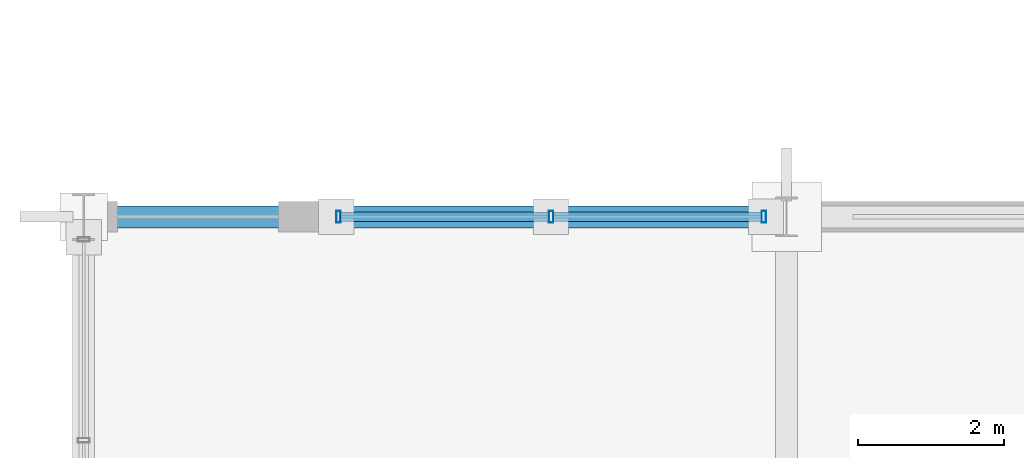
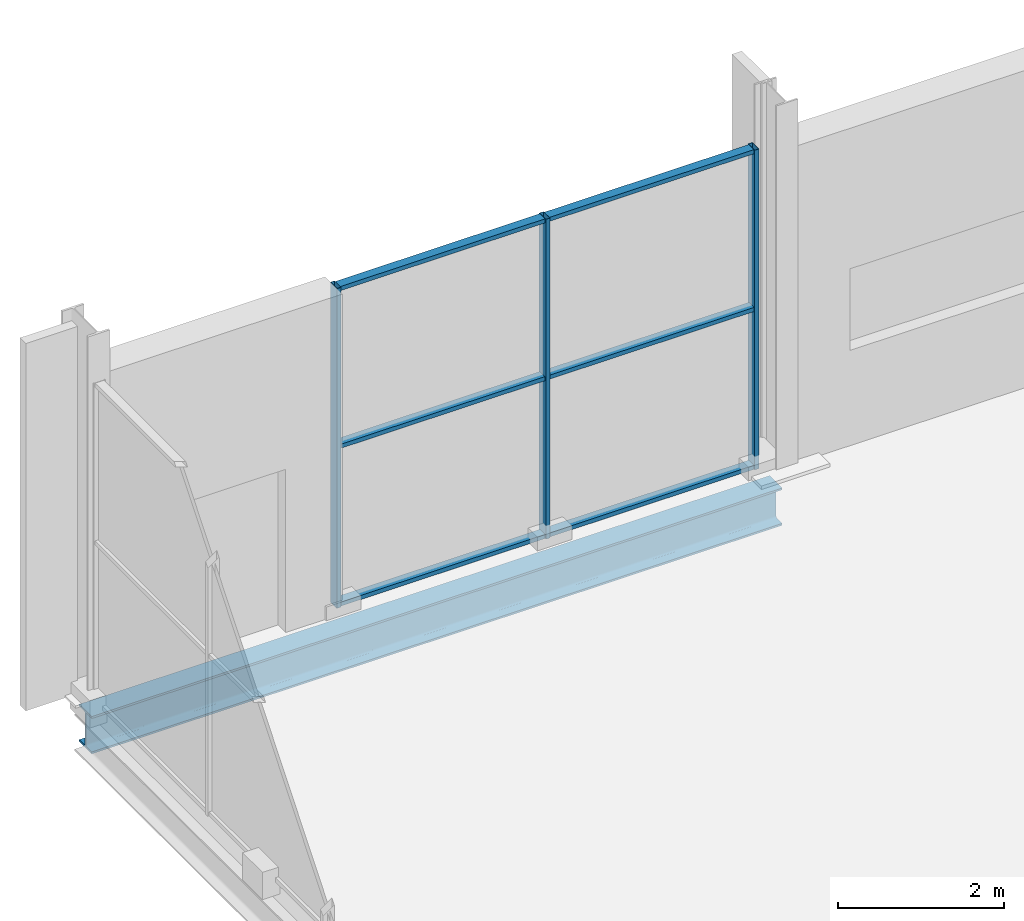
# One storey, part 106 of 196: 9 members, 1 beam, 1 element without a shape of its own.
"""IFC4 building model written with IfcOpenShell, lengths in metres."""

from ifc_helpers import new_model, si_unit, direction, frame, origin, origin_2d, place, context, subcontext, project, spatial, hollow_rectangle, i_section, extrude, material, material_profile, profile_set, type_object, element, aggregate, save


model = new_model("IFC4")

# Units and contexts
model_context = context("Model", 3, precision=1e-05, world=origin(), true_north=direction((0.0, 1.0)))
body_context = subcontext(model_context, "Body", "Model", "MODEL_VIEW")
ifc_project = project(units=[si_unit("LENGTHUNIT", "METRE"), si_unit("AREAUNIT", "SQUARE_METRE"), si_unit("VOLUMEUNIT", "CUBIC_METRE"), si_unit("PLANEANGLEUNIT", "RADIAN"), si_unit("MASSUNIT", "GRAM", prefix="KILO")], contexts=[model_context])

# Site, building, storey
site_placement = place(None, origin())
site = spatial("IfcSite", under=ifc_project, at=site_placement, CompositionType="ELEMENT")
building_placement = place(site_placement, origin())
building = spatial("IfcBuilding", under=site, at=building_placement, Name="Merenkruunu Market Hall", CompositionType="ELEMENT")
storey_placement = place(building_placement, origin())
storey = spatial("IfcBuildingStorey", under=building, at=storey_placement, Name="L00", CompositionType="ELEMENT", Elevation=0.0)

# Curtain wall, members
ifc_material_1 = material(Name="Powder-coated aluminium", Category="aluminium")
curtain_wall_type = type_object("IfcCurtainWallType", Name="Glazed Curtain Wall CW06", PredefinedType="USERDEFINED", material=ifc_material_1)
curtain_wall_placement = place(storey_placement, origin())
curtain_wall = element("IfcCurtainWall", 1, at=curtain_wall_placement, inside=storey, type_object=curtain_wall_type, Name="CW-L00-CWM01-051", ObjectType="GLAZED_FACADE", PredefinedType="USERDEFINED")
ifc_material_profile_1 = material_profile(ifc_material_1, hollow_rectangle(XDim=0.06005859375, YDim=0.159912109375, WallThickness=0.00390625, at=origin_2d()), Name="ALU 60x160x4")
ifc_profile_set_1 = profile_set([ifc_material_profile_1], Name="Powder-coated aluminium")
member_type_1 = type_object("IfcMemberType", Name="Curtain Wall Mullion CWM01", PredefinedType="MULLION", material=ifc_profile_set_1)
member_1_placement = place(storey_placement, frame((3.47998046875, 111.60009765625, 0.0), z_axis=(0.0, 0.0, 1.0), x_axis=(1.0, 0.0, 0.0)))
member_1 = element("IfcMember", 2, at=member_1_placement, type_object=member_type_1, Name="CW06 mullion 1", PredefinedType="MULLION", context=body_context, shape_type="SweptSolid", body=[
    extrude(hollow_rectangle(XDim=0.06005859375, YDim=0.159912109375, WallThickness=0.00390625, at=origin_2d()), origin(), (0.0, 0.0, 1.0), 4.699951171875),
])
member_2_placement = place(storey_placement, frame((6.385009765625, 111.60009765625, 0.0), z_axis=(0.0, 0.0, 1.0), x_axis=(1.0, 0.0, 0.0)))
member_2 = element("IfcMember", 3, at=member_2_placement, type_object=member_type_1, Name="CW06 mullion 2", PredefinedType="MULLION", context=body_context, shape_type="SweptSolid", body=[
    extrude(hollow_rectangle(XDim=0.06005859375, YDim=0.159912109375, WallThickness=0.00390625, at=origin_2d()), origin(), (0.0, 0.0, 1.0), 4.699951171875),
])
member_3_placement = place(storey_placement, frame((9.2900390625, 111.60009765625, 0.0), z_axis=(0.0, 0.0, 1.0), x_axis=(1.0, 0.0, 0.0)))
member_3 = element("IfcMember", 4, at=member_3_placement, type_object=member_type_1, Name="CW06 mullion 3", PredefinedType="MULLION", context=body_context, shape_type="SweptSolid", body=[
    extrude(hollow_rectangle(XDim=0.06005859375, YDim=0.159912109375, WallThickness=0.00390625, at=origin_2d()), origin(), (0.0, 0.0, 1.0), 4.699951171875),
])
ifc_material_profile_2 = material_profile(ifc_material_1, hollow_rectangle(XDim=0.06005859375, YDim=0.125, WallThickness=0.00390625, at=origin_2d()), Name="ALU 60x125x4")
ifc_profile_set_2 = profile_set([ifc_material_profile_2], Name="Powder-coated aluminium")
member_type_2 = type_object("IfcMemberType", Name="Curtain Wall Transom CWT01", PredefinedType="USERDEFINED", material=ifc_profile_set_2)
member_4_placement = place(storey_placement, frame((3.510009765625, 111.60009765625, 0.030029296875), z_axis=(1.0, 0.0, 0.0), x_axis=(0.0, 0.0, 1.0)))
member_4 = element("IfcMember", 5, at=member_4_placement, type_object=member_type_2, Name="CW06 transom 1.1", ObjectType="TRANSOM", PredefinedType="USERDEFINED", context=body_context, shape_type="SweptSolid", body=[
    extrude(hollow_rectangle(XDim=0.06005859375, YDim=0.125, WallThickness=0.00390625, at=origin_2d()), origin(), (0.0, 0.0, 1.0), 2.844970703125),
])
member_5_placement = place(storey_placement, frame((3.510009765625, 111.60009765625, 2.35009765625), z_axis=(1.0, 0.0, 0.0), x_axis=(0.0, 0.0, 1.0)))
member_5 = element("IfcMember", 6, at=member_5_placement, type_object=member_type_2, Name="CW06 transom 1.2", ObjectType="TRANSOM", PredefinedType="USERDEFINED", context=body_context, shape_type="SweptSolid", body=[
    extrude(hollow_rectangle(XDim=0.06005859375, YDim=0.125, WallThickness=0.00390625, at=origin_2d()), origin(), (0.0, 0.0, 1.0), 2.844970703125),
])
member_6_placement = place(storey_placement, frame((3.510009765625, 111.60009765625, 4.669921875), z_axis=(1.0, 0.0, 0.0), x_axis=(0.0, 0.0, 1.0)))
member_6 = element("IfcMember", 7, at=member_6_placement, type_object=member_type_2, Name="CW06 transom 1.3", ObjectType="TRANSOM", PredefinedType="USERDEFINED", context=body_context, shape_type="SweptSolid", body=[
    extrude(hollow_rectangle(XDim=0.06005859375, YDim=0.125, WallThickness=0.00390625, at=origin_2d()), origin(), (0.0, 0.0, 1.0), 2.844970703125),
])
member_7_placement = place(storey_placement, frame((6.4150390625, 111.60009765625, 0.030029296875), z_axis=(1.0, 0.0, 0.0), x_axis=(0.0, 0.0, 1.0)))
member_7 = element("IfcMember", 8, at=member_7_placement, type_object=member_type_2, Name="CW06 transom 2.1", ObjectType="TRANSOM", PredefinedType="USERDEFINED", context=body_context, shape_type="SweptSolid", body=[
    extrude(hollow_rectangle(XDim=0.06005859375, YDim=0.125, WallThickness=0.00390625, at=origin_2d()), origin(), (0.0, 0.0, 1.0), 2.844970703125),
])
member_8_placement = place(storey_placement, frame((6.4150390625, 111.60009765625, 2.35009765625), z_axis=(1.0, 0.0, 0.0), x_axis=(0.0, 0.0, 1.0)))
member_8 = element("IfcMember", 9, at=member_8_placement, type_object=member_type_2, Name="CW06 transom 2.2", ObjectType="TRANSOM", PredefinedType="USERDEFINED", context=body_context, shape_type="SweptSolid", body=[
    extrude(hollow_rectangle(XDim=0.06005859375, YDim=0.125, WallThickness=0.00390625, at=origin_2d()), origin(), (0.0, 0.0, 1.0), 2.844970703125),
])
member_9_placement = place(storey_placement, frame((6.4150390625, 111.60009765625, 4.669921875), z_axis=(1.0, 0.0, 0.0), x_axis=(0.0, 0.0, 1.0)))
member_9 = element("IfcMember", 10, at=member_9_placement, type_object=member_type_2, Name="CW06 transom 2.3", ObjectType="TRANSOM", PredefinedType="USERDEFINED", context=body_context, shape_type="SweptSolid", body=[
    extrude(hollow_rectangle(XDim=0.06005859375, YDim=0.125, WallThickness=0.00390625, at=origin_2d()), origin(), (0.0, 0.0, 1.0), 2.844970703125),
])
aggregate(curtain_wall, [member_1, member_2, member_3, member_4, member_5, member_6, member_7, member_8, member_9])

# Beam
ifc_material_2 = material(Name="Steel S355J2", Category="steel")
ifc_material_profile_3 = material_profile(ifc_material_2, i_section(OverallWidth=0.300048828125, OverallDepth=0.550048828125, WebThickness=0.014892578125, FlangeThickness=0.029052734375, FilletRadius=0.027099609375, at=origin_2d()), Name="HEB 550")
ifc_profile_set_3 = profile_set([ifc_material_profile_3], Name="Steel S355J2")
beam_type = type_object("IfcBeamType", Name="Primary Floor Girder B02", PredefinedType="BEAM", material=ifc_profile_set_3)
beam_placement = place(storey_placement, frame((0.0, 111.60009765625, -0.614990234375), z_axis=(1.0, 0.0, 0.0), x_axis=(0.0, 1.0, 0.0)))
element("IfcBeam", 11, at=beam_placement, inside=storey, type_object=beam_type, Name="BM-L00-B02-0128", PredefinedType="BEAM", context=body_context, shape_type="SweptSolid", body=[
    extrude(i_section(OverallWidth=0.300048828125, OverallDepth=0.550048828125, WebThickness=0.014892578125, FlangeThickness=0.029052734375, FilletRadius=0.027099609375, at=origin_2d()), origin(), (0.0, 0.0, 1.0), 9.60009765625),
])

save(model, "model.ifc")
